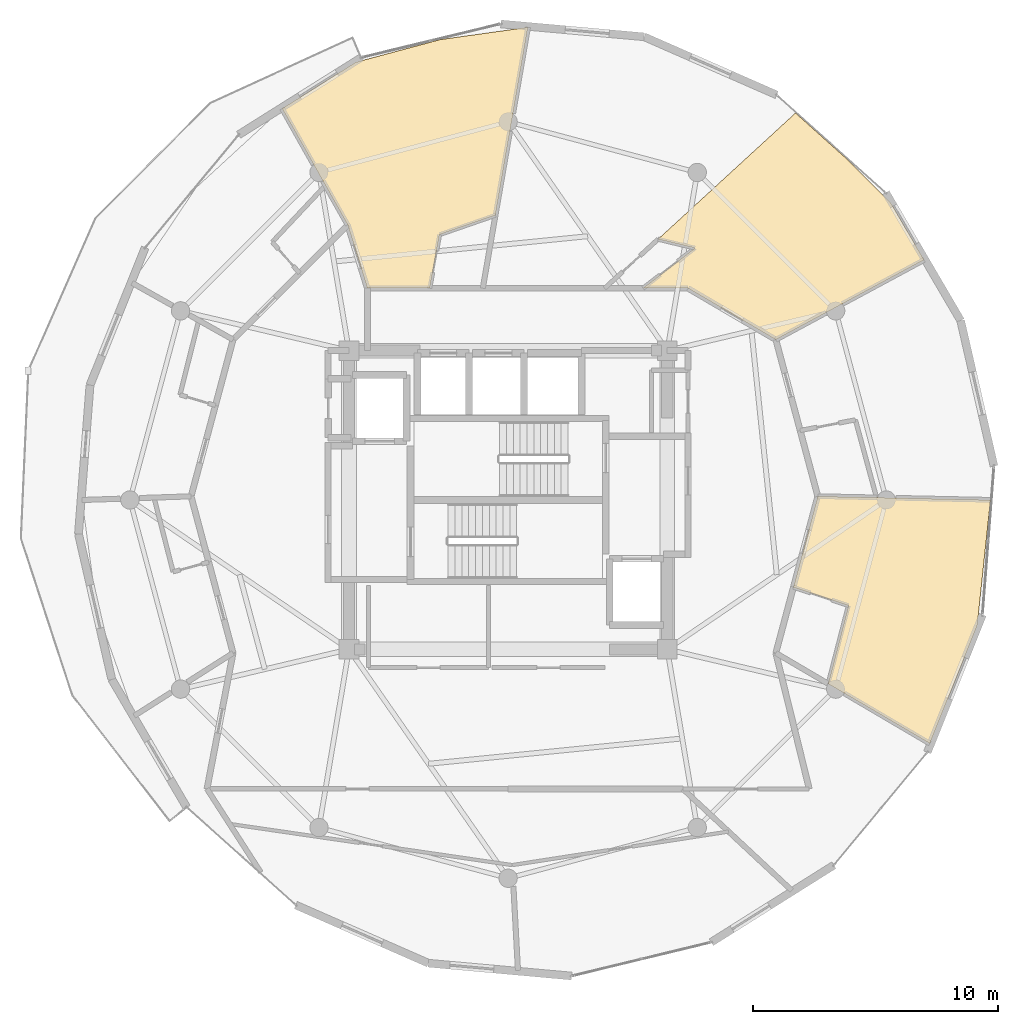
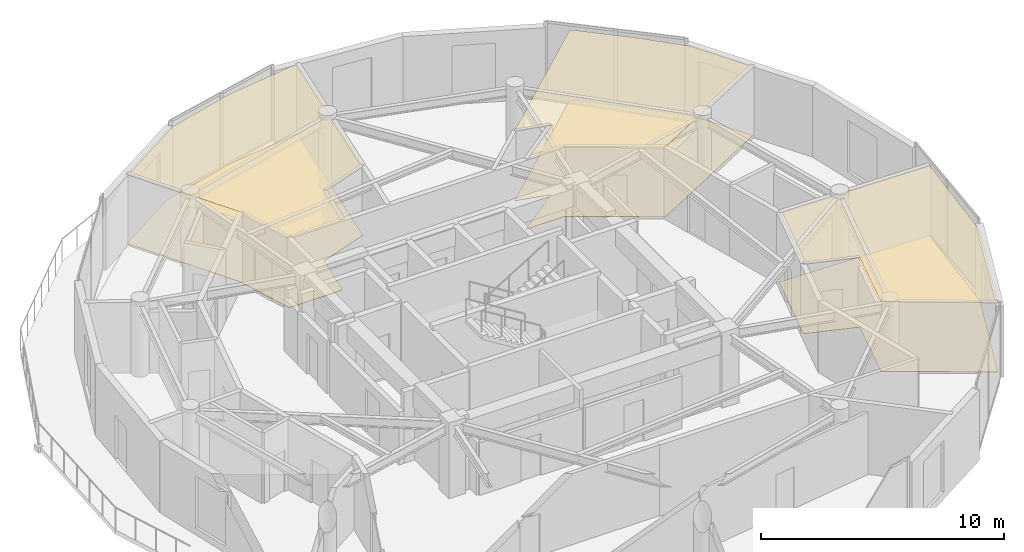
# One storey, part 19 of 19: 6 coverings.
"""IFC4 building model written with IfcOpenShell, lengths in metres."""

from ifc_helpers import new_model, si_unit, direction, frame, origin, place, context, subcontext, project, spatial, polyline, outline, extrude, material, layer, layer_set, type_object, element, save


model = new_model("IFC4")

# Units and contexts
model_context = context("Model", 3, precision=1e-05, world=origin(), true_north=direction((0.0, 1.0)))
body_context = subcontext(model_context, "Body", "Model", "MODEL_VIEW")
ifc_project = project(units=[si_unit("LENGTHUNIT", "METRE"), si_unit("AREAUNIT", "SQUARE_METRE"), si_unit("VOLUMEUNIT", "CUBIC_METRE"), si_unit("PLANEANGLEUNIT", "RADIAN"), si_unit("MASSUNIT", "GRAM", prefix="KILO")], contexts=[model_context])

# Site, building, storey
site_placement = place(None, origin())
site = spatial("IfcSite", under=ifc_project, at=site_placement, CompositionType="ELEMENT")
building_placement = place(site_placement, origin())
building = spatial("IfcBuilding", under=site, at=building_placement, Name="Solvirekh Grand Hotel", CompositionType="ELEMENT")
storey_placement = place(building_placement, frame((0.0, 0.0, 266.800048828125)))
storey = spatial("IfcBuildingStorey", under=building, at=storey_placement, Name="L69", CompositionType="ELEMENT", Elevation=266.800048828125)

# Coverings
ifc_material_1 = material(Name="Acoustic Mineral Ceiling Tile")
ifc_layer_1 = layer(ifc_material_1, 0.02490234375)
ifc_layer_set_1 = layer_set([ifc_layer_1], Name="Acoustic Mineral Ceiling Tile")
covering_type_1 = type_object("IfcCoveringType", Name="Cov_Ceiling_Acoustic", PredefinedType="CEILING", material=ifc_layer_set_1)
covering_1_placement = place(storey_placement, frame((0.0, 0.0, 3.52001953125)))
element("IfcCovering", 1, at=covering_1_placement, inside=storey, type_object=covering_type_1, Name="L69 Deluxe Guestroom 7101 acoustic ceiling", PredefinedType="CEILING", context=body_context, shape_type="SweptSolid", body=[
    extrude(outline(polyline([(3.944091796875, 8.64990234375), (6.126953125, 10.654052734375), (7.635986328125, 10.29296875), (5.510986328125, 8.64990234375), (7.35009765625, 8.64990234375), (10.93505859375, 6.550048828125), (16.989013671875, 9.80908203125), (15.633056640625, 12.1259765625), (13.73095703125, 14.02197265625), (11.739013671875, 15.806884765625), (3.944091796875, 8.64990234375)])), origin(), (0.0, 0.0, 1.0), 0.017822265625),
])
covering_2_placement = place(storey_placement, frame((0.0, 0.0, 3.52001953125)))
element("IfcCovering", 2, at=covering_2_placement, inside=storey, type_object=covering_type_1, Name="L69 Deluxe Guestroom 7102 acoustic ceiling", PredefinedType="CEILING", context=body_context, shape_type="SweptSolid", body=[
    extrude(outline(polyline([(-3.202880859375, 8.64990234375), (-2.801025390625, 10.843017578125), (-0.51806640625, 11.634033203125), (0.80908203125, 19.30810546875), (-2.777099609375, 18.804931640625), (-6.22607421875, 17.8779296875), (-9.22998046875, 15.988037109375), (-6.550048828125, 11.235107421875), (-5.75, 8.64990234375), (-3.202880859375, 8.64990234375)])), origin(), (0.0, 0.0, 1.0), 0.017822265625),
])
covering_3_placement = place(storey_placement, frame((0.0, 0.0, 3.52001953125)))
element("IfcCovering", 3, at=covering_3_placement, inside=storey, type_object=covering_type_1, Name="L69 Deluxe Guestroom 7106 acoustic ceiling", PredefinedType="CEILING", context=body_context, shape_type="SweptSolid", body=[
    extrude(outline(polyline([(13.903076171875, -4.31201171875), (13.074951171875, -7.507080078125), (17.22802734375, -9.946044921875), (19.158935546875, -5.134033203125), (19.701904296875, 0.0), (12.64990234375, 0.14990234375), (11.655029296875, -3.56201171875), (13.903076171875, -4.31201171875)])), origin(), (0.0, 0.0, 1.0), 0.017822265625),
])
ifc_material_2 = material(Name="Porcelain Stoneware Flooring", Category="masonry")
ifc_layer_2 = layer(ifc_material_2, 0.030029296875)
ifc_layer_set_2 = layer_set([ifc_layer_2], Name="Porcelain Stoneware Flooring")
covering_type_2 = type_object("IfcCoveringType", Name="Cov_Floor_Stone", PredefinedType="FLOORING", material=ifc_layer_set_2)
covering_4_placement = place(storey_placement, origin())
element("IfcCovering", 4, at=covering_4_placement, inside=storey, type_object=covering_type_2, Name="L69 Deluxe Guestroom 7101 polished granite flooring", PredefinedType="FLOORING", context=body_context, shape_type="SweptSolid", body=[
    extrude(outline(polyline([(3.944091796875, 8.64990234375), (6.126953125, 10.654052734375), (7.635986328125, 10.29296875), (5.510986328125, 8.64990234375), (7.35009765625, 8.64990234375), (10.93505859375, 6.550048828125), (16.989013671875, 9.80908203125), (15.633056640625, 12.1259765625), (13.73095703125, 14.02197265625), (11.739013671875, 15.806884765625), (3.944091796875, 8.64990234375)])), origin(), (0.0, 0.0, 1.0), 0.02001953125),
])
covering_5_placement = place(storey_placement, origin())
element("IfcCovering", 5, at=covering_5_placement, inside=storey, type_object=covering_type_2, Name="L69 Deluxe Guestroom 7102 polished granite flooring", PredefinedType="FLOORING", context=body_context, shape_type="SweptSolid", body=[
    extrude(outline(polyline([(-3.202880859375, 8.64990234375), (-2.801025390625, 10.843017578125), (-0.51806640625, 11.634033203125), (0.80908203125, 19.30810546875), (-2.777099609375, 18.804931640625), (-6.22607421875, 17.8779296875), (-9.22998046875, 15.988037109375), (-6.550048828125, 11.235107421875), (-5.75, 8.64990234375), (-3.202880859375, 8.64990234375)])), origin(), (0.0, 0.0, 1.0), 0.02001953125),
])
covering_6_placement = place(storey_placement, origin())
element("IfcCovering", 6, at=covering_6_placement, inside=storey, type_object=covering_type_2, Name="L69 Deluxe Guestroom 7106 polished granite flooring", PredefinedType="FLOORING", context=body_context, shape_type="SweptSolid", body=[
    extrude(outline(polyline([(13.903076171875, -4.31201171875), (13.074951171875, -7.507080078125), (17.22802734375, -9.946044921875), (19.158935546875, -5.134033203125), (19.701904296875, 0.0), (12.64990234375, 0.14990234375), (11.655029296875, -3.56201171875), (13.903076171875, -4.31201171875)])), origin(), (0.0, 0.0, 1.0), 0.02001953125),
])

save(model, "model.ifc")
